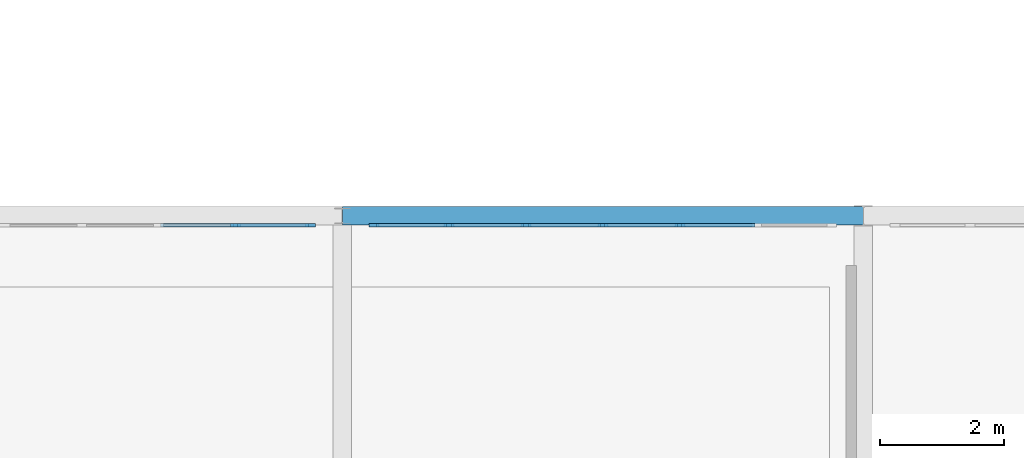
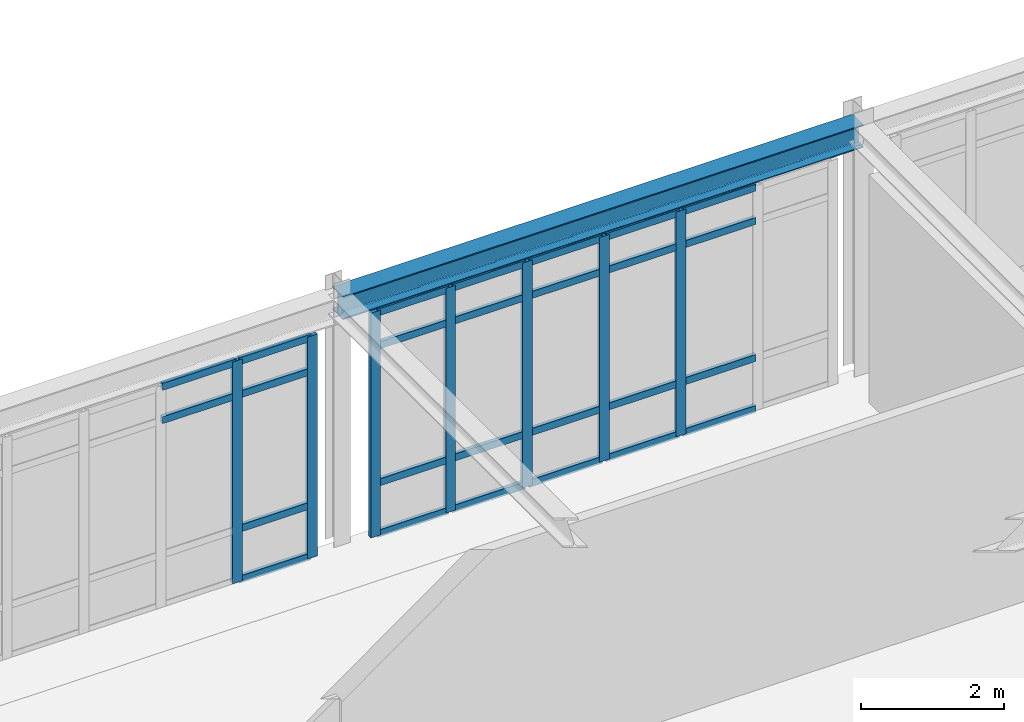
# One storey, part 42 of 106: 33 members, 1 beam, 2 elements without a shape of their own.
"""IFC4 building model written with IfcOpenShell, lengths in metres."""

from ifc_helpers import new_model, si_unit, derived_unit, direction, frame, origin, origin_2d, place, context, subcontext, project, spatial, rectangle, i_section, extrude, material, layer, layer_set, material_profile, profile_set, type_object, element, aggregate, save


model = new_model("IFC4")

# Units and contexts
model_context = context("Model", 3, precision=1e-05, world=origin(), true_north=direction((0.0, 1.0)))
body_context = subcontext(model_context, "Body", "Model", "MODEL_VIEW")
ifc_project = project(units=[si_unit("LENGTHUNIT", "METRE"), si_unit("AREAUNIT", "SQUARE_METRE"), si_unit("VOLUMEUNIT", "CUBIC_METRE"), si_unit("PLANEANGLEUNIT", "RADIAN"), si_unit("MASSUNIT", "GRAM", prefix="KILO"), derived_unit("THERMALTRANSMITTANCEUNIT", [(si_unit("POWERUNIT", "WATT"), 1), (si_unit("AREAUNIT", "SQUARE_METRE"), -1), (si_unit("THERMODYNAMICTEMPERATUREUNIT", "KELVIN"), -1)])], contexts=[model_context])

# Site, building, storey
site_placement = place(None, origin())
site = spatial("IfcSite", under=ifc_project, at=site_placement, CompositionType="ELEMENT")
building_placement = place(site_placement, origin())
building = spatial("IfcBuilding", under=site, at=building_placement, Name="Yasenodar Specialist Clinic", CompositionType="ELEMENT")
storey_placement = place(building_placement, frame((0.0, 0.0, 4.5)))
storey = spatial("IfcBuildingStorey", under=building, at=storey_placement, Name="L01", CompositionType="ELEMENT", Elevation=4.5)

# Beam
ifc_material_1 = material(Name="Steel S355", Category="steel")
ifc_material_profile_1 = material_profile(ifc_material_1, i_section(OverallWidth=0.300048828125, OverallDepth=0.389892578125, WebThickness=0.010986328125, FlangeThickness=0.01904296875, FilletRadius=0.027099609375, at=origin_2d()), Name="HEA 400")
ifc_profile_set_1 = profile_set([ifc_material_profile_1], Name="Steel S355")
beam_type = type_object("IfcBeamType", Name="BM-HEA400", PredefinedType="BEAM", material=ifc_profile_set_1)
beam_placement = place(storey_placement, frame((121.800048828125, 34.800048828125, 4.054931640625), z_axis=(1.0, 0.0, 0.0), x_axis=(0.0, 1.0, 0.0)))
element("IfcBeam", 1, at=beam_placement, inside=storey, type_object=beam_type, Name="L01 Primary E-W Girder", PredefinedType="BEAM", context=body_context, shape_type="SweptSolid", body=[
    extrude(i_section(OverallWidth=0.300048828125, OverallDepth=0.389892578125, WebThickness=0.010986328125, FlangeThickness=0.01904296875, FilletRadius=0.027099609375, at=origin_2d()), origin(), (0.0, 0.0, 1.0), 8.39990234375),
])

# Curtain wall, members
ifc_material_2 = material(Name="Bronze Anodized Aluminium and Triple Low-E Glass", Category="aluminium")
ifc_layer = layer(ifc_material_2, 0.178955078125)
ifc_layer_set = layer_set([ifc_layer], Name="Bronze Anodized Aluminium and Triple Low-E Glass")
curtain_wall_type = type_object("IfcCurtainWallType", Name="CW-SYS-02", PredefinedType="USERDEFINED", material=ifc_layer_set)
curtain_wall_1_placement = place(storey_placement, origin())
curtain_wall_1 = element("IfcCurtainWall", 2, at=curtain_wall_1_placement, inside=storey, type_object=curtain_wall_type, Name="L01 Unitised Curtain Wall 096", ObjectType="UNITISED CURTAIN WALL", PredefinedType="USERDEFINED")
ifc_material_3 = material(Name="Bronze Anodized Aluminium", Category="aluminium")
ifc_material_profile_2 = material_profile(ifc_material_3, rectangle(XDim=0.06005859375, YDim=0.159912109375, at=origin_2d()), Name="CW-MULL 60x160")
ifc_profile_set_2 = profile_set([ifc_material_profile_2], Name="Bronze Anodized Aluminium")
member_type_1 = type_object("IfcMemberType", Name="CW-MULL-160", PredefinedType="MULLION", material=ifc_profile_set_2)
member_1_placement = place(storey_placement, frame((120.080078125, 34.64990234375, 0.0), z_axis=(0.0, 0.0, 1.0), x_axis=(0.0, 1.0, 0.0)))
member_1 = element("IfcMember", 3, at=member_1_placement, type_object=member_type_1, Name="CW-02 mullion 6", PredefinedType="MULLION", context=body_context, shape_type="SweptSolid", body=[
    extrude(rectangle(XDim=0.06005859375, YDim=0.159912109375, at=origin_2d()), origin(), (0.0, 0.0, 1.0), 3.7880859375),
])
member_2_placement = place(storey_placement, frame((121.2900390625, 34.64990234375, 0.0), z_axis=(0.0, 0.0, 1.0), x_axis=(0.0, 1.0, 0.0)))
member_2 = element("IfcMember", 4, at=member_2_placement, type_object=member_type_1, Name="CW-02 mullion 7", PredefinedType="MULLION", context=body_context, shape_type="SweptSolid", body=[
    extrude(rectangle(XDim=0.06005859375, YDim=0.159912109375, at=origin_2d()), origin(), (0.0, 0.0, 1.0), 3.7880859375),
])

curtain_wall_2_placement = place(storey_placement, origin())
curtain_wall_2 = element("IfcCurtainWall", 5, at=curtain_wall_2_placement, inside=storey, type_object=curtain_wall_type, Name="L01 Unitised Curtain Wall 097", ObjectType="UNITISED CURTAIN WALL", PredefinedType="USERDEFINED")
member_3_placement = place(storey_placement, frame((122.31005859375, 34.64990234375, 0.0), z_axis=(0.0, 0.0, 1.0), x_axis=(0.0, 1.0, 0.0)))
member_3 = element("IfcMember", 6, at=member_3_placement, type_object=member_type_1, Name="CW-02 mullion 1", PredefinedType="MULLION", context=body_context, shape_type="SweptSolid", body=[
    extrude(rectangle(XDim=0.06005859375, YDim=0.159912109375, at=origin_2d()), origin(), (0.0, 0.0, 1.0), 3.837890625),
])
member_4_placement = place(storey_placement, frame((123.52001953125, 34.64990234375, 0.0), z_axis=(0.0, 0.0, 1.0), x_axis=(0.0, 1.0, 0.0)))
member_4 = element("IfcMember", 7, at=member_4_placement, type_object=member_type_1, Name="CW-02 mullion 2", PredefinedType="MULLION", context=body_context, shape_type="SweptSolid", body=[
    extrude(rectangle(XDim=0.06005859375, YDim=0.159912109375, at=origin_2d()), origin(), (0.0, 0.0, 1.0), 3.837890625),
])
member_5_placement = place(storey_placement, frame((124.760009765625, 34.64990234375, 0.0), z_axis=(0.0, 0.0, 1.0), x_axis=(0.0, 1.0, 0.0)))
member_5 = element("IfcMember", 8, at=member_5_placement, type_object=member_type_1, Name="CW-02 mullion 3", PredefinedType="MULLION", context=body_context, shape_type="SweptSolid", body=[
    extrude(rectangle(XDim=0.06005859375, YDim=0.159912109375, at=origin_2d()), origin(), (0.0, 0.0, 1.0), 3.837890625),
])
member_6_placement = place(storey_placement, frame((126.0, 34.64990234375, 0.0), z_axis=(0.0, 0.0, 1.0), x_axis=(0.0, 1.0, 0.0)))
member_6 = element("IfcMember", 9, at=member_6_placement, type_object=member_type_1, Name="CW-02 mullion 4", PredefinedType="MULLION", context=body_context, shape_type="SweptSolid", body=[
    extrude(rectangle(XDim=0.06005859375, YDim=0.159912109375, at=origin_2d()), origin(), (0.0, 0.0, 1.0), 3.837890625),
])
member_7_placement = place(storey_placement, frame((127.239990234375, 34.64990234375, 0.0), z_axis=(0.0, 0.0, 1.0), x_axis=(0.0, 1.0, 0.0)))
member_7 = element("IfcMember", 10, at=member_7_placement, type_object=member_type_1, Name="CW-02 mullion 5", PredefinedType="MULLION", context=body_context, shape_type="SweptSolid", body=[
    extrude(rectangle(XDim=0.06005859375, YDim=0.159912109375, at=origin_2d()), origin(), (0.0, 0.0, 1.0), 3.837890625),
])

# Member
ifc_material_profile_3 = material_profile(ifc_material_3, rectangle(XDim=0.06005859375, YDim=0.1201171875, at=origin_2d()), Name="CW-TRAN 60x120")
ifc_profile_set_3 = profile_set([ifc_material_profile_3], Name="Bronze Anodized Aluminium")
member_type_2 = type_object("IfcMemberType", Name="CW-TRAN-120", PredefinedType="USERDEFINED", material=ifc_profile_set_3)
member_8_placement = place(storey_placement, frame((118.8701171875, 34.64990234375, 3.18798828125), z_axis=(1.0, 0.0, 0.0), x_axis=(0.0, 1.0, 0.0)))
member_8 = element("IfcMember", 11, at=member_8_placement, type_object=member_type_2, Name="CW-02 transom 5.3", ObjectType="TRANSOM", PredefinedType="USERDEFINED", context=body_context, shape_type="SweptSolid", body=[
    extrude(rectangle(XDim=0.06005859375, YDim=0.1201171875, at=origin_2d()), origin(), (0.0, 0.0, 1.0), 1.179931640625),
])

member_9_placement = place(storey_placement, frame((118.8701171875, 34.64990234375, 3.758056640625), z_axis=(1.0, 0.0, 0.0), x_axis=(0.0, 1.0, 0.0)))
member_9 = element("IfcMember", 12, at=member_9_placement, type_object=member_type_2, Name="CW-02 transom 5.4", ObjectType="TRANSOM", PredefinedType="USERDEFINED", context=body_context, shape_type="SweptSolid", body=[
    extrude(rectangle(XDim=0.06005859375, YDim=0.1201171875, at=origin_2d()), origin(), (0.0, 0.0, 1.0), 1.179931640625),
])

member_10_placement = place(storey_placement, frame((120.110107421875, 34.64990234375, 0.030029296875), z_axis=(1.0, 0.0, 0.0), x_axis=(0.0, 1.0, 0.0)))
member_10 = element("IfcMember", 13, at=member_10_placement, type_object=member_type_2, Name="CW-02 transom 6.1", ObjectType="TRANSOM", PredefinedType="USERDEFINED", context=body_context, shape_type="SweptSolid", body=[
    extrude(rectangle(XDim=0.06005859375, YDim=0.1201171875, at=origin_2d()), origin(), (0.0, 0.0, 1.0), 1.14990234375),
])

member_11_placement = place(storey_placement, frame((120.110107421875, 34.64990234375, 0.89990234375), z_axis=(1.0, 0.0, 0.0), x_axis=(0.0, 1.0, 0.0)))
member_11 = element("IfcMember", 14, at=member_11_placement, type_object=member_type_2, Name="CW-02 transom 6.2", ObjectType="TRANSOM", PredefinedType="USERDEFINED", context=body_context, shape_type="SweptSolid", body=[
    extrude(rectangle(XDim=0.06005859375, YDim=0.1201171875, at=origin_2d()), origin(), (0.0, 0.0, 1.0), 1.14990234375),
])

member_12_placement = place(storey_placement, frame((120.110107421875, 34.64990234375, 3.18798828125), z_axis=(1.0, 0.0, 0.0), x_axis=(0.0, 1.0, 0.0)))
member_12 = element("IfcMember", 15, at=member_12_placement, type_object=member_type_2, Name="CW-02 transom 6.3", ObjectType="TRANSOM", PredefinedType="USERDEFINED", context=body_context, shape_type="SweptSolid", body=[
    extrude(rectangle(XDim=0.06005859375, YDim=0.1201171875, at=origin_2d()), origin(), (0.0, 0.0, 1.0), 1.14990234375),
])

member_13_placement = place(storey_placement, frame((120.110107421875, 34.64990234375, 3.758056640625), z_axis=(1.0, 0.0, 0.0), x_axis=(0.0, 1.0, 0.0)))
member_13 = element("IfcMember", 16, at=member_13_placement, type_object=member_type_2, Name="CW-02 transom 6.4", ObjectType="TRANSOM", PredefinedType="USERDEFINED", context=body_context, shape_type="SweptSolid", body=[
    extrude(rectangle(XDim=0.06005859375, YDim=0.1201171875, at=origin_2d()), origin(), (0.0, 0.0, 1.0), 1.14990234375),
])

aggregate(curtain_wall_1, [member_1, member_2, member_8, member_9, member_10, member_11, member_12, member_13])

member_14_placement = place(storey_placement, frame((122.340087890625, 34.64990234375, 0.030029296875), z_axis=(1.0, 0.0, 0.0), x_axis=(0.0, 1.0, 0.0)))
member_14 = element("IfcMember", 17, at=member_14_placement, type_object=member_type_2, Name="CW-02 transom 1.1", ObjectType="TRANSOM", PredefinedType="USERDEFINED", context=body_context, shape_type="SweptSolid", body=[
    extrude(rectangle(XDim=0.06005859375, YDim=0.1201171875, at=origin_2d()), origin(), (0.0, 0.0, 1.0), 1.14990234375),
])

member_15_placement = place(storey_placement, frame((122.340087890625, 34.64990234375, 0.89990234375), z_axis=(1.0, 0.0, 0.0), x_axis=(0.0, 1.0, 0.0)))
member_15 = element("IfcMember", 18, at=member_15_placement, type_object=member_type_2, Name="CW-02 transom 1.2", ObjectType="TRANSOM", PredefinedType="USERDEFINED", context=body_context, shape_type="SweptSolid", body=[
    extrude(rectangle(XDim=0.06005859375, YDim=0.1201171875, at=origin_2d()), origin(), (0.0, 0.0, 1.0), 1.14990234375),
])

member_16_placement = place(storey_placement, frame((122.340087890625, 34.64990234375, 3.238037109375), z_axis=(1.0, 0.0, 0.0), x_axis=(0.0, 1.0, 0.0)))
member_16 = element("IfcMember", 19, at=member_16_placement, type_object=member_type_2, Name="CW-02 transom 1.3", ObjectType="TRANSOM", PredefinedType="USERDEFINED", context=body_context, shape_type="SweptSolid", body=[
    extrude(rectangle(XDim=0.06005859375, YDim=0.1201171875, at=origin_2d()), origin(), (0.0, 0.0, 1.0), 1.14990234375),
])

member_17_placement = place(storey_placement, frame((122.340087890625, 34.64990234375, 3.80810546875), z_axis=(1.0, 0.0, 0.0), x_axis=(0.0, 1.0, 0.0)))
member_17 = element("IfcMember", 20, at=member_17_placement, type_object=member_type_2, Name="CW-02 transom 1.4", ObjectType="TRANSOM", PredefinedType="USERDEFINED", context=body_context, shape_type="SweptSolid", body=[
    extrude(rectangle(XDim=0.06005859375, YDim=0.1201171875, at=origin_2d()), origin(), (0.0, 0.0, 1.0), 1.14990234375),
])

member_18_placement = place(storey_placement, frame((123.550048828125, 34.64990234375, 0.030029296875), z_axis=(1.0, 0.0, 0.0), x_axis=(0.0, 1.0, 0.0)))
member_18 = element("IfcMember", 21, at=member_18_placement, type_object=member_type_2, Name="CW-02 transom 2.1", ObjectType="TRANSOM", PredefinedType="USERDEFINED", context=body_context, shape_type="SweptSolid", body=[
    extrude(rectangle(XDim=0.06005859375, YDim=0.1201171875, at=origin_2d()), origin(), (0.0, 0.0, 1.0), 1.179931640625),
])

member_19_placement = place(storey_placement, frame((123.550048828125, 34.64990234375, 0.89990234375), z_axis=(1.0, 0.0, 0.0), x_axis=(0.0, 1.0, 0.0)))
member_19 = element("IfcMember", 22, at=member_19_placement, type_object=member_type_2, Name="CW-02 transom 2.2", ObjectType="TRANSOM", PredefinedType="USERDEFINED", context=body_context, shape_type="SweptSolid", body=[
    extrude(rectangle(XDim=0.06005859375, YDim=0.1201171875, at=origin_2d()), origin(), (0.0, 0.0, 1.0), 1.179931640625),
])

member_20_placement = place(storey_placement, frame((123.550048828125, 34.64990234375, 3.238037109375), z_axis=(1.0, 0.0, 0.0), x_axis=(0.0, 1.0, 0.0)))
member_20 = element("IfcMember", 23, at=member_20_placement, type_object=member_type_2, Name="CW-02 transom 2.3", ObjectType="TRANSOM", PredefinedType="USERDEFINED", context=body_context, shape_type="SweptSolid", body=[
    extrude(rectangle(XDim=0.06005859375, YDim=0.1201171875, at=origin_2d()), origin(), (0.0, 0.0, 1.0), 1.179931640625),
])

member_21_placement = place(storey_placement, frame((123.550048828125, 34.64990234375, 3.80810546875), z_axis=(1.0, 0.0, 0.0), x_axis=(0.0, 1.0, 0.0)))
member_21 = element("IfcMember", 24, at=member_21_placement, type_object=member_type_2, Name="CW-02 transom 2.4", ObjectType="TRANSOM", PredefinedType="USERDEFINED", context=body_context, shape_type="SweptSolid", body=[
    extrude(rectangle(XDim=0.06005859375, YDim=0.1201171875, at=origin_2d()), origin(), (0.0, 0.0, 1.0), 1.179931640625),
])

member_22_placement = place(storey_placement, frame((124.7900390625, 34.64990234375, 0.030029296875), z_axis=(1.0, 0.0, 0.0), x_axis=(0.0, 1.0, 0.0)))
member_22 = element("IfcMember", 25, at=member_22_placement, type_object=member_type_2, Name="CW-02 transom 3.1", ObjectType="TRANSOM", PredefinedType="USERDEFINED", context=body_context, shape_type="SweptSolid", body=[
    extrude(rectangle(XDim=0.06005859375, YDim=0.1201171875, at=origin_2d()), origin(), (0.0, 0.0, 1.0), 1.179931640625),
])

member_23_placement = place(storey_placement, frame((124.7900390625, 34.64990234375, 0.89990234375), z_axis=(1.0, 0.0, 0.0), x_axis=(0.0, 1.0, 0.0)))
member_23 = element("IfcMember", 26, at=member_23_placement, type_object=member_type_2, Name="CW-02 transom 3.2", ObjectType="TRANSOM", PredefinedType="USERDEFINED", context=body_context, shape_type="SweptSolid", body=[
    extrude(rectangle(XDim=0.06005859375, YDim=0.1201171875, at=origin_2d()), origin(), (0.0, 0.0, 1.0), 1.179931640625),
])

member_24_placement = place(storey_placement, frame((124.7900390625, 34.64990234375, 3.238037109375), z_axis=(1.0, 0.0, 0.0), x_axis=(0.0, 1.0, 0.0)))
member_24 = element("IfcMember", 27, at=member_24_placement, type_object=member_type_2, Name="CW-02 transom 3.3", ObjectType="TRANSOM", PredefinedType="USERDEFINED", context=body_context, shape_type="SweptSolid", body=[
    extrude(rectangle(XDim=0.06005859375, YDim=0.1201171875, at=origin_2d()), origin(), (0.0, 0.0, 1.0), 1.179931640625),
])

member_25_placement = place(storey_placement, frame((124.7900390625, 34.64990234375, 3.80810546875), z_axis=(1.0, 0.0, 0.0), x_axis=(0.0, 1.0, 0.0)))
member_25 = element("IfcMember", 28, at=member_25_placement, type_object=member_type_2, Name="CW-02 transom 3.4", ObjectType="TRANSOM", PredefinedType="USERDEFINED", context=body_context, shape_type="SweptSolid", body=[
    extrude(rectangle(XDim=0.06005859375, YDim=0.1201171875, at=origin_2d()), origin(), (0.0, 0.0, 1.0), 1.179931640625),
])

member_26_placement = place(storey_placement, frame((126.030029296875, 34.64990234375, 0.030029296875), z_axis=(1.0, 0.0, 0.0), x_axis=(0.0, 1.0, 0.0)))
member_26 = element("IfcMember", 29, at=member_26_placement, type_object=member_type_2, Name="CW-02 transom 4.1", ObjectType="TRANSOM", PredefinedType="USERDEFINED", context=body_context, shape_type="SweptSolid", body=[
    extrude(rectangle(XDim=0.06005859375, YDim=0.1201171875, at=origin_2d()), origin(), (0.0, 0.0, 1.0), 1.179931640625),
])

member_27_placement = place(storey_placement, frame((126.030029296875, 34.64990234375, 0.89990234375), z_axis=(1.0, 0.0, 0.0), x_axis=(0.0, 1.0, 0.0)))
member_27 = element("IfcMember", 30, at=member_27_placement, type_object=member_type_2, Name="CW-02 transom 4.2", ObjectType="TRANSOM", PredefinedType="USERDEFINED", context=body_context, shape_type="SweptSolid", body=[
    extrude(rectangle(XDim=0.06005859375, YDim=0.1201171875, at=origin_2d()), origin(), (0.0, 0.0, 1.0), 1.179931640625),
])

member_28_placement = place(storey_placement, frame((126.030029296875, 34.64990234375, 3.238037109375), z_axis=(1.0, 0.0, 0.0), x_axis=(0.0, 1.0, 0.0)))
member_28 = element("IfcMember", 31, at=member_28_placement, type_object=member_type_2, Name="CW-02 transom 4.3", ObjectType="TRANSOM", PredefinedType="USERDEFINED", context=body_context, shape_type="SweptSolid", body=[
    extrude(rectangle(XDim=0.06005859375, YDim=0.1201171875, at=origin_2d()), origin(), (0.0, 0.0, 1.0), 1.179931640625),
])

member_29_placement = place(storey_placement, frame((126.030029296875, 34.64990234375, 3.80810546875), z_axis=(1.0, 0.0, 0.0), x_axis=(0.0, 1.0, 0.0)))
member_29 = element("IfcMember", 32, at=member_29_placement, type_object=member_type_2, Name="CW-02 transom 4.4", ObjectType="TRANSOM", PredefinedType="USERDEFINED", context=body_context, shape_type="SweptSolid", body=[
    extrude(rectangle(XDim=0.06005859375, YDim=0.1201171875, at=origin_2d()), origin(), (0.0, 0.0, 1.0), 1.179931640625),
])

member_30_placement = place(storey_placement, frame((127.27001953125, 34.64990234375, 0.030029296875), z_axis=(1.0, 0.0, 0.0), x_axis=(0.0, 1.0, 0.0)))
member_30 = element("IfcMember", 33, at=member_30_placement, type_object=member_type_2, Name="CW-02 transom 5.1", ObjectType="TRANSOM", PredefinedType="USERDEFINED", context=body_context, shape_type="SweptSolid", body=[
    extrude(rectangle(XDim=0.06005859375, YDim=0.1201171875, at=origin_2d()), origin(), (0.0, 0.0, 1.0), 1.179931640625),
])

member_31_placement = place(storey_placement, frame((127.27001953125, 34.64990234375, 0.89990234375), z_axis=(1.0, 0.0, 0.0), x_axis=(0.0, 1.0, 0.0)))
member_31 = element("IfcMember", 34, at=member_31_placement, type_object=member_type_2, Name="CW-02 transom 5.2", ObjectType="TRANSOM", PredefinedType="USERDEFINED", context=body_context, shape_type="SweptSolid", body=[
    extrude(rectangle(XDim=0.06005859375, YDim=0.1201171875, at=origin_2d()), origin(), (0.0, 0.0, 1.0), 1.179931640625),
])

member_32_placement = place(storey_placement, frame((127.27001953125, 34.64990234375, 3.238037109375), z_axis=(1.0, 0.0, 0.0), x_axis=(0.0, 1.0, 0.0)))
member_32 = element("IfcMember", 35, at=member_32_placement, type_object=member_type_2, Name="CW-02 transom 5.3", ObjectType="TRANSOM", PredefinedType="USERDEFINED", context=body_context, shape_type="SweptSolid", body=[
    extrude(rectangle(XDim=0.06005859375, YDim=0.1201171875, at=origin_2d()), origin(), (0.0, 0.0, 1.0), 1.179931640625),
])

member_33_placement = place(storey_placement, frame((127.27001953125, 34.64990234375, 3.80810546875), z_axis=(1.0, 0.0, 0.0), x_axis=(0.0, 1.0, 0.0)))
member_33 = element("IfcMember", 36, at=member_33_placement, type_object=member_type_2, Name="CW-02 transom 5.4", ObjectType="TRANSOM", PredefinedType="USERDEFINED", context=body_context, shape_type="SweptSolid", body=[
    extrude(rectangle(XDim=0.06005859375, YDim=0.1201171875, at=origin_2d()), origin(), (0.0, 0.0, 1.0), 1.179931640625),
])

aggregate(curtain_wall_2, [member_3, member_4, member_5, member_6, member_7, member_14, member_15, member_16, member_17, member_18, member_19, member_20, member_21, member_22, member_23, member_24, member_25, member_26, member_27, member_28, member_29, member_30, member_31, member_32, member_33])

save(model, "model.ifc")
